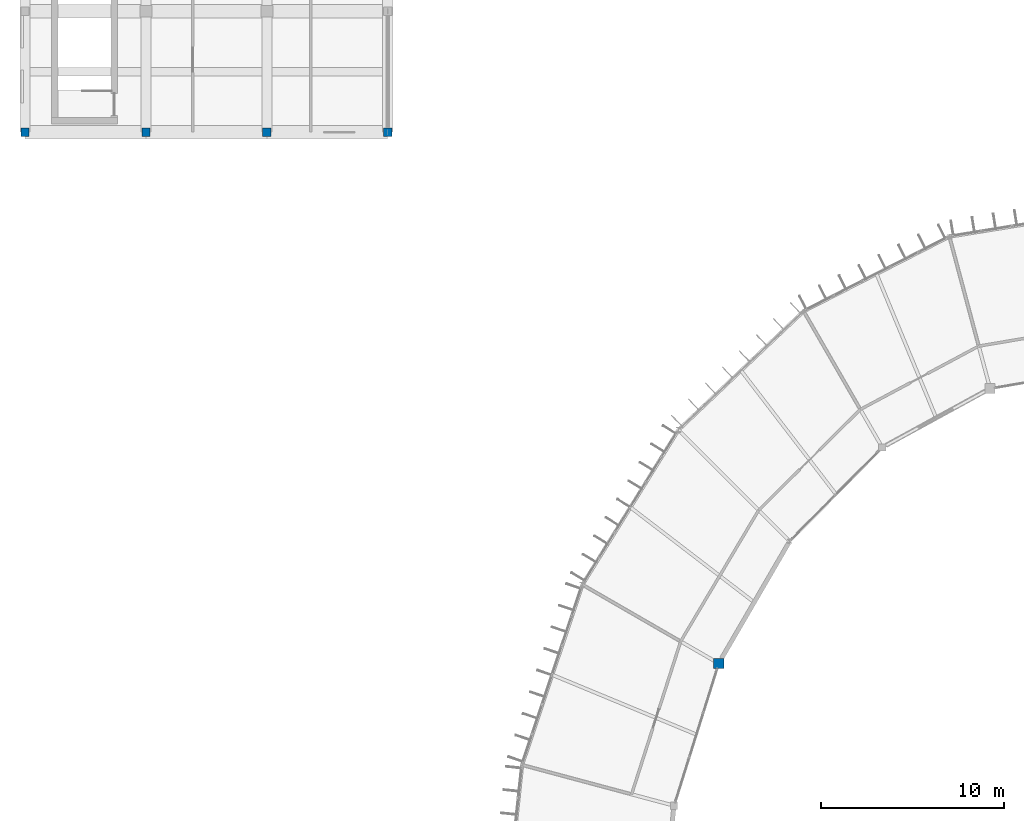
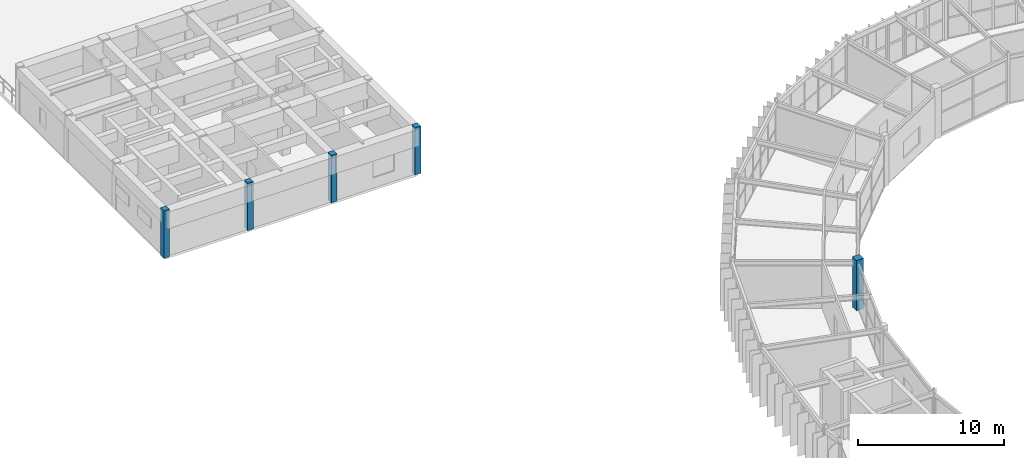
# One storey, part 9 of 106: 5 columns.
"""IFC4 building model written with IfcOpenShell, lengths in metres."""

from ifc_helpers import new_model, si_unit, direction, frame, origin, origin_2d, place, context, subcontext, project, spatial, rectangle, extrude, material, material_profile, profile_set, type_object, element, save


model = new_model("IFC4")

# Units and contexts
model_context = context("Model", 3, precision=1e-05, world=origin(), true_north=direction((0.0, 1.0)))
body_context = subcontext(model_context, "Body", "Model", "MODEL_VIEW")
ifc_project = project(units=[si_unit("LENGTHUNIT", "METRE"), si_unit("AREAUNIT", "SQUARE_METRE"), si_unit("VOLUMEUNIT", "CUBIC_METRE"), si_unit("PLANEANGLEUNIT", "RADIAN"), si_unit("MASSUNIT", "GRAM", prefix="KILO")], contexts=[model_context])

# Site, building, storey
site_placement = place(None, origin())
site = spatial("IfcSite", under=ifc_project, at=site_placement, CompositionType="ELEMENT")
building_placement = place(site_placement, origin())
building = spatial("IfcBuilding", under=site, at=building_placement, Name="Karori Crest Natural Sciences Institute", CompositionType="ELEMENT")
storey_placement = place(building_placement, frame((0.0, 0.0, 25.89990234375)))
storey = spatial("IfcBuildingStorey", under=building, at=storey_placement, Name="L06", CompositionType="ELEMENT", Elevation=25.89990234375)

# Columns
ifc_material = material(Name="Concrete 50 MPa", Category="concrete")
ifc_material_profile_1 = material_profile(ifc_material, rectangle(XDim=0.449951171875, YDim=0.449951171875, at=origin_2d()), Name="RC450x450")
ifc_profile_set_1 = profile_set([ifc_material_profile_1], Name="Concrete 50 MPa")
column_type_1 = type_object("IfcColumnType", Name="CT-23", PredefinedType="PILASTER", material=ifc_profile_set_1)
for number, where, z_axis, x_axis, name in (
    (1, (7.39990234375, 95.0, 0.0), (0.0, 0.0, 1.0), (1.0, 0.0, 0.0), "Column C-0716"),
    (2, (14.0, 95.0, 0.0), (0.0, 0.0, 1.0), (1.0, 0.0, 0.0), "Column C-0793"),
    (3, (20.60009765625, 95.0, 0.0), (0.0, 0.0, 1.0), (1.0, 0.0, 0.0), "Column C-0870"),
    (4, (27.199951171875, 95.0, 0.0), (0.0, 0.0, 1.0), (1.0, 0.0, 0.0), "Column C-0947"),
):
    element("IfcColumn", number, at=place(storey_placement, frame(where, z_axis=z_axis, x_axis=x_axis)), inside=storey, type_object=column_type_1, Name=name, PredefinedType="PILASTER", context=body_context, shape_type="SweptSolid", body=[
        extrude(rectangle(XDim=0.449951171875, YDim=0.449951171875, at=origin_2d()), origin(), (0.0, 0.0, 1.0), 3.9501953125),
    ])
ifc_material_profile_2 = material_profile(ifc_material, rectangle(XDim=0.550048828125, YDim=0.550048828125, at=origin_2d()), Name="RC550x550")
ifc_profile_set_2 = profile_set([ifc_material_profile_2], Name="Concrete 50 MPa")
column_type_2 = type_object("IfcColumnType", Name="CT-30", PredefinedType="COLUMN", material=ifc_profile_set_2)
column_placement = place(storey_placement, frame((45.26904296875, 66.0, 0.0), z_axis=(0.0, 0.0, 1.0), x_axis=(1.0, 0.0, 0.0)))
element("IfcColumn", 5, at=column_placement, inside=storey, type_object=column_type_2, Name="Column C-0188", PredefinedType="COLUMN", context=body_context, shape_type="SweptSolid", body=[
    extrude(rectangle(XDim=0.550048828125, YDim=0.550048828125, at=origin_2d()), origin(), (0.0, 0.0, 1.0), 4.2001953125),
])

save(model, "model.ifc")
